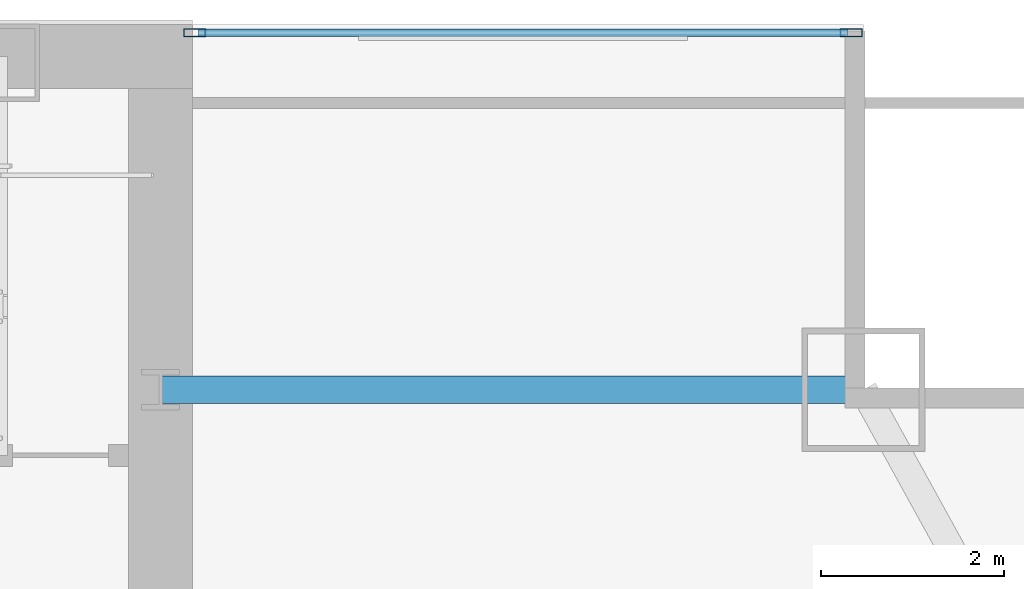
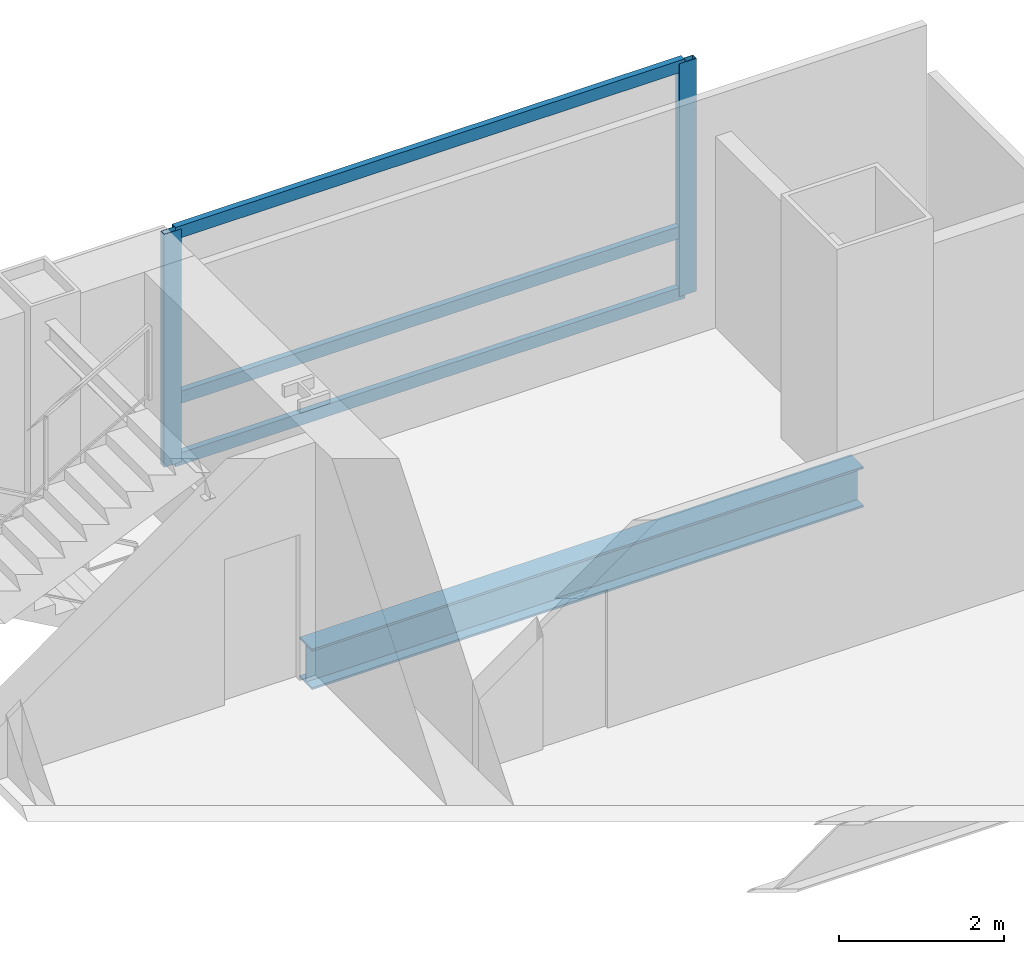
# One storey, part 20 of 29: 5 members, 1 beam, 1 element without a shape of its own.
"""IFC4 building model written with IfcOpenShell, lengths in metres."""

from ifc_helpers import new_model, si_unit, direction, frame, origin, origin_2d, place, context, subcontext, project, spatial, hollow_rectangle, i_section, extrude, material, material_profile, profile_set, type_object, element, aggregate, save


model = new_model("IFC4")

# Units and contexts
model_context = context("Model", 3, precision=1e-05, world=origin(), true_north=direction((0.0, 1.0)))
body_context = subcontext(model_context, "Body", "Model", "MODEL_VIEW")
ifc_project = project(units=[si_unit("LENGTHUNIT", "METRE"), si_unit("AREAUNIT", "SQUARE_METRE"), si_unit("VOLUMEUNIT", "CUBIC_METRE"), si_unit("PLANEANGLEUNIT", "RADIAN"), si_unit("MASSUNIT", "GRAM", prefix="KILO")], contexts=[model_context])

# Site, building, storey
site_placement = place(None, origin())
site = spatial("IfcSite", under=ifc_project, at=site_placement, CompositionType="ELEMENT")
building_placement = place(site_placement, origin())
building = spatial("IfcBuilding", under=site, at=building_placement, Name="Khoronbel Lancet Exchange", CompositionType="ELEMENT")
storey_placement = place(building_placement, frame((0.0, 0.0, 139.800048828125)))
storey = spatial("IfcBuildingStorey", under=building, at=storey_placement, Name="L34", CompositionType="ELEMENT", Elevation=139.800048828125)

# Beam
ifc_material_1 = material(Name="Steel S355", Category="steel")
ifc_material_profile_1 = material_profile(ifc_material_1, i_section(OverallWidth=0.300048828125, OverallDepth=0.60009765625, WebThickness=0.015380859375, FlangeThickness=0.030029296875, at=origin_2d()), Name="HEB 600")
ifc_profile_set_1 = profile_set([ifc_material_profile_1], Name="Steel S355")
beam_type = type_object("IfcBeamType", Name="BM-BSP2", PredefinedType="SPANDREL", material=ifc_profile_set_1)
beam_placement = place(storey_placement, frame((64.050048828125, 49.699951171875, -0.4599609375), z_axis=(-1.0, 0.0, 0.0), x_axis=(0.0, -1.0, 0.0)))
element("IfcBeam", 1, at=beam_placement, inside=storey, type_object=beam_type, Name="Level L34 north flank tie spandrel SP23", PredefinedType="SPANDREL", context=body_context, shape_type="SweptSolid", body=[
    extrude(i_section(OverallWidth=0.300048828125, OverallDepth=0.60009765625, WebThickness=0.015380859375, FlangeThickness=0.030029296875, at=origin_2d()), origin(), (0.0, 0.0, 1.0), 7.699951171875),
])

# Curtain wall, members
ifc_material_2 = material(Name="Low-E Solar Control Insulating Glass", Category="glass")
curtain_wall_type = type_object("IfcCurtainWallType", Name="CW-3", PredefinedType="NOTDEFINED", material=ifc_material_2)
curtain_wall_placement = place(storey_placement, origin())
curtain_wall = element("IfcCurtainWall", 2, at=curtain_wall_placement, inside=storey, type_object=curtain_wall_type, Name="Unitised curtain wall CW-L34-NEFLK", PredefinedType="NOTDEFINED")
ifc_material_3 = material(Name="Bronze-Anodised Aluminium 6063-T6", Category="aluminium")
ifc_material_profile_2 = material_profile(ifc_material_3, hollow_rectangle(XDim=0.0849609375, YDim=0.239990234375, WallThickness=0.006103515625, at=origin_2d()), Name="ALU MULLION 85x240")
ifc_profile_set_2 = profile_set([ifc_material_profile_2], Name="Bronze-Anodised Aluminium 6063-T6")
member_type_1 = type_object("IfcMemberType", Name="MEM-CWM1", PredefinedType="MULLION", material=ifc_profile_set_2)
member_1_placement = place(storey_placement, frame((63.91748046875, 53.610107421875, 0.0), z_axis=(0.0, 0.0, 1.0), x_axis=(0.0, -1.0, 0.0)))
member_1 = element("IfcMember", 3, at=member_1_placement, type_object=member_type_1, Name="CW3 mullion 1", PredefinedType="MULLION", context=body_context, shape_type="SweptSolid", body=[
    extrude(hollow_rectangle(XDim=0.0849609375, YDim=0.239990234375, WallThickness=0.006103515625, at=origin_2d()), origin(), (0.0, 0.0, 1.0), 3.43994140625),
])
member_2_placement = place(storey_placement, frame((56.722412109375, 53.610107421875, 0.0), z_axis=(0.0, 0.0, 1.0), x_axis=(0.0, -1.0, 0.0)))
member_2 = element("IfcMember", 4, at=member_2_placement, type_object=member_type_1, Name="CW3 mullion 2", PredefinedType="MULLION", context=body_context, shape_type="SweptSolid", body=[
    extrude(hollow_rectangle(XDim=0.0849609375, YDim=0.239990234375, WallThickness=0.006103515625, at=origin_2d()), origin(), (0.0, 0.0, 1.0), 3.43994140625),
])
ifc_material_profile_3 = material_profile(ifc_material_3, hollow_rectangle(XDim=0.0849609375, YDim=0.179931640625, WallThickness=0.0048828125, at=origin_2d()), Name="ALU TRANSOM 85x180")
ifc_profile_set_3 = profile_set([ifc_material_profile_3], Name="Bronze-Anodised Aluminium 6063-T6")
member_type_2 = type_object("IfcMemberType", Name="MEM-CWT1", PredefinedType="USERDEFINED", material=ifc_profile_set_3)
member_3_placement = place(storey_placement, frame((63.875, 53.610107421875, 0.04248046875), z_axis=(-1.0, 0.0, 0.0), x_axis=(0.0, -1.0, 0.0)))
member_3 = element("IfcMember", 5, at=member_3_placement, type_object=member_type_2, Name="CW3 transom 1.1", ObjectType="TRANSOM", PredefinedType="USERDEFINED", context=body_context, shape_type="SweptSolid", body=[
    extrude(hollow_rectangle(XDim=0.0849609375, YDim=0.179931640625, WallThickness=0.0048828125, at=origin_2d()), origin(), (0.0, 0.0, 1.0), 7.110107421875),
])
member_4_placement = place(storey_placement, frame((63.875, 53.610107421875, 0.949951171875), z_axis=(-1.0, 0.0, 0.0), x_axis=(0.0, -1.0, 0.0)))
member_4 = element("IfcMember", 6, at=member_4_placement, type_object=member_type_2, Name="CW3 transom 1.2", ObjectType="TRANSOM", PredefinedType="USERDEFINED", context=body_context, shape_type="SweptSolid", body=[
    extrude(hollow_rectangle(XDim=0.0849609375, YDim=0.179931640625, WallThickness=0.0048828125, at=origin_2d()), origin(), (0.0, 0.0, 1.0), 7.110107421875),
])
member_5_placement = place(storey_placement, frame((63.875, 53.610107421875, 3.3974609375), z_axis=(-1.0, 0.0, 0.0), x_axis=(0.0, -1.0, 0.0)))
member_5 = element("IfcMember", 7, at=member_5_placement, type_object=member_type_2, Name="CW3 transom 1.3", ObjectType="TRANSOM", PredefinedType="USERDEFINED", context=body_context, shape_type="SweptSolid", body=[
    extrude(hollow_rectangle(XDim=0.0849609375, YDim=0.179931640625, WallThickness=0.0048828125, at=origin_2d()), origin(), (0.0, 0.0, 1.0), 7.110107421875),
])
aggregate(curtain_wall, [member_1, member_2, member_3, member_4, member_5])

save(model, "model.ifc")
